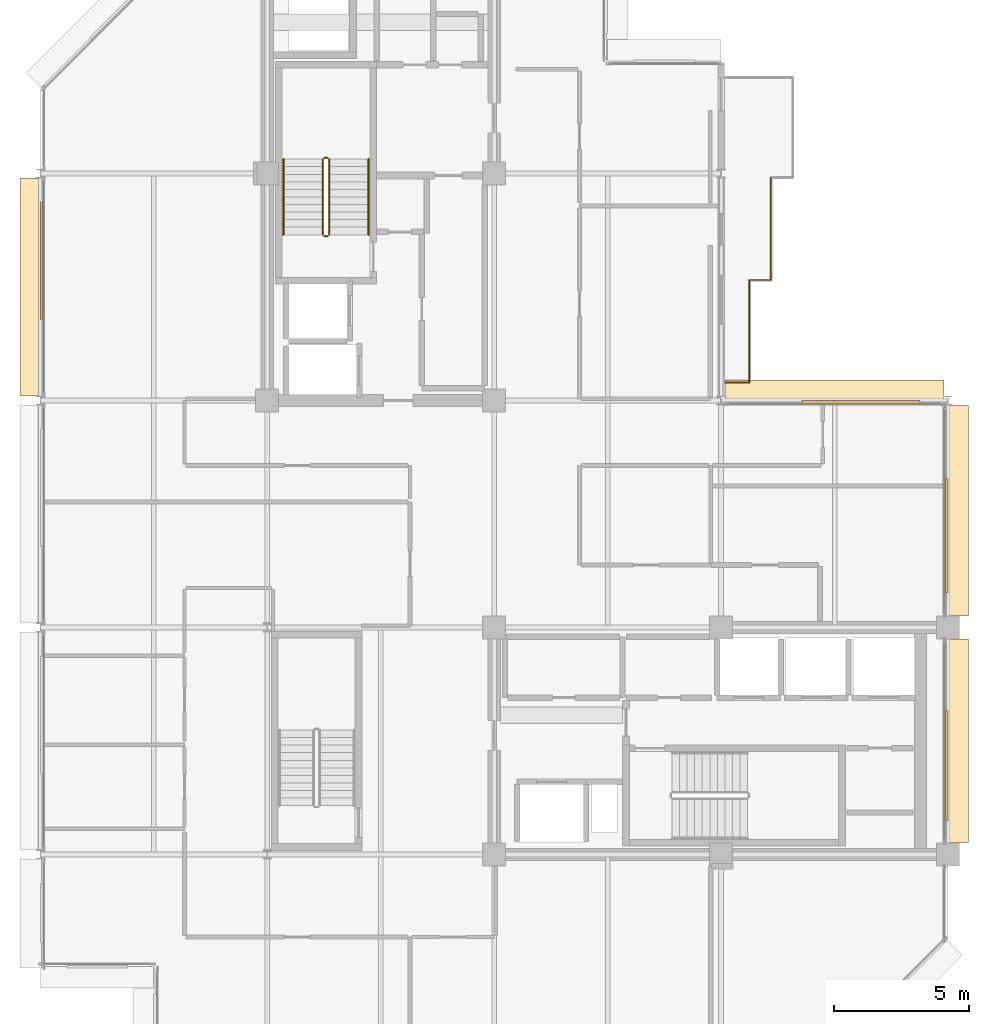
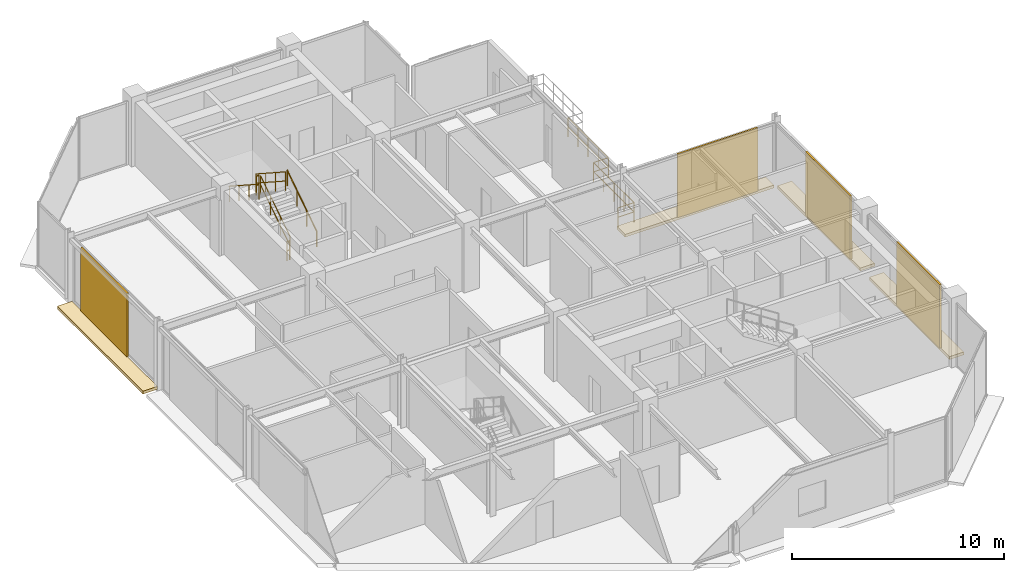
# One storey, part 24 of 25: 10 railings, 8 coverings.
"""IFC4 building model written with IfcOpenShell, lengths in metres."""

from ifc_helpers import new_model, si_unit, direction, frame, origin, origin_2d, place, context, subcontext, project, spatial, polyline, rectangle, circle, outline, extrude, material, layer, layer_set, type_object, element, save


model = new_model("IFC4")

# Units and contexts
model_context = context("Model", 3, precision=1e-05, world=origin(), true_north=direction((0.0, 1.0)))
body_context = subcontext(model_context, "Body", "Model", "MODEL_VIEW")
ifc_project = project(units=[si_unit("LENGTHUNIT", "METRE"), si_unit("AREAUNIT", "SQUARE_METRE"), si_unit("VOLUMEUNIT", "CUBIC_METRE"), si_unit("PLANEANGLEUNIT", "RADIAN"), si_unit("MASSUNIT", "GRAM", prefix="KILO")], contexts=[model_context])

# Site, building, storey
site_placement = place(None, origin())
site = spatial("IfcSite", under=ifc_project, at=site_placement, CompositionType="ELEMENT")
building_placement = place(site_placement, origin())
building = spatial("IfcBuilding", under=site, at=building_placement, Name="Nerrivon Quay Data Exchange", CompositionType="ELEMENT")
storey_placement = place(building_placement, frame((0.0, 0.0, 318.199951171875)))
storey = spatial("IfcBuildingStorey", under=building, at=storey_placement, Name="L76", CompositionType="ELEMENT", Elevation=318.199951171875)

# Coverings
ifc_material_1 = material(Name="Architectural terracotta ceramic", Category="masonry")
ifc_layer_1 = layer(ifc_material_1, 0.159912109375)
ifc_layer_set_1 = layer_set([ifc_layer_1], Name="Architectural terracotta ceramic")
covering_type_1 = type_object("IfcCoveringType", Name="COV-BLD-TERR", PredefinedType="CLADDING", material=ifc_layer_set_1)
covering_1_placement = place(storey_placement, frame((0.0, 0.0, -0.159912109375)))
element("IfcCovering", 1, at=covering_1_placement, inside=storey, type_object=covering_type_1, Name="L76 Horizontal Terracotta SOLAR SCREEN Blade", PredefinedType="CLADDING", context=body_context, shape_type="SweptSolid", body=[
    extrude(outline(polyline([(0.0400390625, 25.363525390625), (0.0400390625, 33.4365234375), (-0.75, 33.4365234375), (-0.75, 25.363525390625), (0.0400390625, 25.363525390625)])), origin(), (0.0, 0.0, 1.0), 0.159912109375),
])
covering_2_placement = place(storey_placement, frame((0.0, 0.0, -0.159912109375)))
element("IfcCovering", 2, at=covering_2_placement, inside=storey, type_object=covering_type_1, Name="L76 Horizontal Terracotta SOLAR SCREEN Blade", PredefinedType="CLADDING", context=body_context, shape_type="SweptSolid", body=[
    extrude(outline(polyline([(25.35546875, 25.159912109375), (33.444580078125, 25.159912109375), (33.444580078125, 25.949951171875), (25.35546875, 25.949951171875), (25.35546875, 25.159912109375)])), origin(), (0.0, 0.0, 1.0), 0.159912109375),
])
covering_3_placement = place(storey_placement, frame((0.0, 0.0, -0.159912109375)))
element("IfcCovering", 3, at=covering_3_placement, inside=storey, type_object=covering_type_1, Name="L76 Horizontal Terracotta SOLAR SCREEN Blade", PredefinedType="CLADDING", context=body_context, shape_type="SweptSolid", body=[
    extrude(outline(polyline([(33.56005859375, 25.03662109375), (33.56005859375, 17.22509765625), (34.35009765625, 17.22509765625), (34.35009765625, 25.03662109375), (33.56005859375, 25.03662109375)])), origin(), (0.0, 0.0, 1.0), 0.159912109375),
])
covering_4_placement = place(storey_placement, frame((0.0, 0.0, -0.159912109375)))
element("IfcCovering", 4, at=covering_4_placement, inside=storey, type_object=covering_type_1, Name="L76 Horizontal Terracotta SOLAR SCREEN Blade", PredefinedType="CLADDING", context=body_context, shape_type="SweptSolid", body=[
    extrude(outline(polyline([(33.56005859375, 16.375), (33.56005859375, 8.824951171875), (34.35009765625, 8.824951171875), (34.35009765625, 16.375), (33.56005859375, 16.375)])), origin(), (0.0, 0.0, 1.0), 0.159912109375),
])
ifc_layer_2 = layer(ifc_material_1, 0.090087890625)
ifc_layer_set_2 = layer_set([ifc_layer_2], Name="Architectural terracotta ceramic")
covering_type_2 = type_object("IfcCoveringType", Name="COV-SCR-TERR", PredefinedType="CLADDING", material=ifc_layer_set_2)
covering_5_placement = place(storey_placement, frame((0.044921875, 30.368896484375, 0.0), z_axis=(0.0, 0.0, 1.0), x_axis=(0.0, 1.0, 0.0)))
element("IfcCovering", 5, at=covering_5_placement, inside=storey, type_object=covering_type_2, Name="L76 Perforated Terracotta SOLAR SCREEN Cassette", PredefinedType="CLADDING", context=body_context, shape_type="SweptSolid", body=[
    extrude(rectangle(XDim=4.35888671875, YDim=0.090087890625, at=origin_2d()), origin(), (0.0, 0.0, 1.0), 3.64990234375),
])
covering_6_placement = place(storey_placement, frame((30.37060546875, 25.155029296875, 0.0), z_axis=(0.0, 0.0, 1.0), x_axis=(1.0, 0.0, 0.0)))
element("IfcCovering", 6, at=covering_6_placement, inside=storey, type_object=covering_type_2, Name="L76 Perforated Terracotta SOLAR SCREEN Cassette", PredefinedType="CLADDING", context=body_context, shape_type="SweptSolid", body=[
    extrude(rectangle(XDim=4.367919921875, YDim=0.090087890625, at=origin_2d()), origin(), (0.0, 0.0, 1.0), 3.64990234375),
])
covering_7_placement = place(storey_placement, frame((33.554931640625, 20.193359375, 0.0), z_axis=(0.0, 0.0, 1.0), x_axis=(0.0, -1.0, 0.0)))
element("IfcCovering", 7, at=covering_7_placement, inside=storey, type_object=covering_type_2, Name="L76 Perforated Terracotta SOLAR SCREEN Cassette", PredefinedType="CLADDING", context=body_context, shape_type="SweptSolid", body=[
    extrude(rectangle(XDim=4.218017578125, YDim=0.090087890625, at=origin_2d()), origin(), (0.0, 0.0, 1.0), 3.64990234375),
])
covering_8_placement = place(storey_placement, frame((33.554931640625, 11.694091796875, 0.0), z_axis=(0.0, 0.0, 1.0), x_axis=(0.0, -1.0, 0.0)))
element("IfcCovering", 8, at=covering_8_placement, inside=storey, type_object=covering_type_2, Name="L76 Perforated Terracotta SOLAR SCREEN Cassette", PredefinedType="CLADDING", context=body_context, shape_type="SweptSolid", body=[
    extrude(rectangle(XDim=4.076904296875, YDim=0.090087890625, at=origin_2d()), origin(), (0.0, 0.0, 1.0), 3.64990234375),
])

# Railings
ifc_material_2 = material(Name="Steel Grade C350L0 (350 MPa)", Category="steel")
railing_type_1 = type_object("IfcRailingType", Name="RAIL-GUARD-GR2", PredefinedType="BALUSTRADE", material=ifc_material_2)
railing_1_placement = place(storey_placement, frame((26.239990234375, 29.659912109375, 0.0)))
element("IfcRailing", 9, at=railing_1_placement, inside=storey, type_object=railing_type_1, Name="L76 Verandah Balcony Guard 1.1 1", PredefinedType="BALUSTRADE", context=body_context, shape_type="SweptSolid", body=[
    extrude(circle(Radius=0.02392578125, at=origin_2d()), frame((0.0, 0.0, 1.09619140625), z_axis=(0.0, -1.0, 0.0), x_axis=(1.0, 0.0, 0.0)), (0.0, 0.0, 1.0), 3.7998046875),
    extrude(circle(Radius=0.02392578125, at=origin_2d()), frame((0.0, 0.0, 0.56005859375), z_axis=(0.0, -1.0, 0.0), x_axis=(1.0, 0.0, 0.0)), (0.0, 0.0, 1.0), 3.7998046875),
    extrude(circle(Radius=0.02099609375, at=origin_2d()), origin(), (0.0, 0.0, 1.0), 1.072021484375),
    extrude(circle(Radius=0.02099609375, at=origin_2d()), frame((0.0, -0.949951171875, 0.0)), (0.0, 0.0, 1.0), 1.072021484375),
    extrude(circle(Radius=0.02099609375, at=origin_2d()), frame((0.0, -1.89990234375, 0.0)), (0.0, 0.0, 1.0), 1.072021484375),
    extrude(circle(Radius=0.02099609375, at=origin_2d()), frame((0.0, -2.849853515625, 0.0)), (0.0, 0.0, 1.0), 1.072021484375),
    extrude(circle(Radius=0.02099609375, at=origin_2d()), frame((0.0, -3.7998046875, 0.0)), (0.0, 0.0, 1.0), 1.072021484375),
])
railing_2_placement = place(storey_placement, frame((26.239990234375, 25.860107421875, 0.0)))
element("IfcRailing", 10, at=railing_2_placement, inside=storey, type_object=railing_type_1, Name="L76 Verandah Balcony Guard 1.2 1", PredefinedType="BALUSTRADE", context=body_context, shape_type="SweptSolid", body=[
    extrude(circle(Radius=0.02392578125, at=origin_2d()), frame((0.0, 0.0, 1.09619140625), z_axis=(-1.0, 0.0, 0.0), x_axis=(0.0, -1.0, 0.0)), (0.0, 0.0, 1.0), 0.860107421875),
    extrude(circle(Radius=0.02392578125, at=origin_2d()), frame((0.0, 0.0, 0.56005859375), z_axis=(-1.0, 0.0, 0.0), x_axis=(0.0, -1.0, 0.0)), (0.0, 0.0, 1.0), 0.860107421875),
    extrude(circle(Radius=0.02099609375, at=origin_2d()), origin(), (0.0, 0.0, 1.0), 1.072021484375),
    extrude(circle(Radius=0.02099609375, at=origin_2d()), frame((-0.860107421875, 0.0, 0.0)), (0.0, 0.0, 1.0), 1.072021484375),
])
railing_3_placement = place(storey_placement, frame((27.0400390625, 33.4599609375, 0.0)))
element("IfcRailing", 11, at=railing_3_placement, inside=storey, type_object=railing_type_1, Name="L76 Verandah Balcony Guard 1.6 1", PredefinedType="BALUSTRADE", context=body_context, shape_type="SweptSolid", body=[
    extrude(circle(Radius=0.02392578125, at=origin_2d()), frame((0.0, 0.0, 1.09619140625), z_axis=(0.0, -1.0, 0.0), x_axis=(1.0, 0.0, 0.0)), (0.0, 0.0, 1.0), 3.800048828125),
    extrude(circle(Radius=0.02392578125, at=origin_2d()), frame((0.0, 0.0, 0.56005859375), z_axis=(0.0, -1.0, 0.0), x_axis=(1.0, 0.0, 0.0)), (0.0, 0.0, 1.0), 3.800048828125),
    extrude(circle(Radius=0.02099609375, at=origin_2d()), origin(), (0.0, 0.0, 1.0), 1.072021484375),
    extrude(circle(Radius=0.02099609375, at=origin_2d()), frame((0.0, -0.949951171875, 0.0)), (0.0, 0.0, 1.0), 1.072021484375),
    extrude(circle(Radius=0.02099609375, at=origin_2d()), frame((0.0, -1.89990234375, 0.0)), (0.0, 0.0, 1.0), 1.072021484375),
    extrude(circle(Radius=0.02099609375, at=origin_2d()), frame((0.0, -2.85009765625, 0.0)), (0.0, 0.0, 1.0), 1.072021484375),
    extrude(circle(Radius=0.02099609375, at=origin_2d()), frame((0.0, -3.800048828125, 0.0)), (0.0, 0.0, 1.0), 1.072021484375),
])
railing_4_placement = place(storey_placement, frame((27.0400390625, 29.659912109375, 0.0)))
element("IfcRailing", 12, at=railing_4_placement, inside=storey, type_object=railing_type_1, Name="L76 Verandah Balcony Guard 1.7 1", PredefinedType="BALUSTRADE", context=body_context, shape_type="SweptSolid", body=[
    extrude(circle(Radius=0.02392578125, at=origin_2d()), frame((0.0, 0.0, 1.09619140625), z_axis=(-1.0, 0.0, 0.0), x_axis=(0.0, -1.0, 0.0)), (0.0, 0.0, 1.0), 0.800048828125),
    extrude(circle(Radius=0.02392578125, at=origin_2d()), frame((0.0, 0.0, 0.56005859375), z_axis=(-1.0, 0.0, 0.0), x_axis=(0.0, -1.0, 0.0)), (0.0, 0.0, 1.0), 0.800048828125),
    extrude(circle(Radius=0.02099609375, at=origin_2d()), origin(), (0.0, 0.0, 1.0), 1.072021484375),
    extrude(circle(Radius=0.02099609375, at=origin_2d()), frame((-0.800048828125, 0.0, 0.0)), (0.0, 0.0, 1.0), 1.072021484375),
])
railing_type_2 = type_object("IfcRailingType", Name="RAIL-HAND-HR1", PredefinedType="HANDRAIL", material=ifc_material_2)
railing_5_placement = place(storey_placement, frame((12.14990234375, 31.330078125, 0.181884765625)))
element("IfcRailing", 13, at=railing_5_placement, inside=storey, type_object=railing_type_2, Name="L76 ST01 stair handrail 1", PredefinedType="HANDRAIL", context=body_context, shape_type="SweptSolid", body=[
    extrude(circle(Radius=0.02392578125, at=origin_2d()), frame((0.0, 0.0, 0.8759765625), z_axis=(0.0, 0.83868413941, 0.544618136222), x_axis=(-1.0, 0.0, 0.0)), (0.0, 0.0, 1.0), 3.33837890625),
    extrude(circle(Radius=0.02099609375, at=origin_2d()), origin(), (0.0, 0.0, 1.0), 0.851806640625),
    extrude(circle(Radius=0.02099609375, at=origin_2d()), frame((0.0, 0.933349609375, 0.60595703125)), (0.0, 0.0, 1.0), 0.851806640625),
    extrude(circle(Radius=0.02099609375, at=origin_2d()), frame((0.0, 1.866455078125, 1.212158203125)), (0.0, 0.0, 1.0), 0.851806640625),
    extrude(circle(Radius=0.02099609375, at=origin_2d()), frame((0.0, 2.7998046875, 1.818115234375)), (0.0, 0.0, 1.0), 0.851806640625),
])
railing_6_placement = place(storey_placement, frame((9.0, 34.1298828125, 2.181884765625)))
element("IfcRailing", 14, at=railing_6_placement, inside=storey, type_object=railing_type_2, Name="L76 ST01 stair handrail 2", PredefinedType="HANDRAIL", context=body_context, shape_type="SweptSolid", body=[
    extrude(circle(Radius=0.02392578125, at=origin_2d()), frame((0.0, 0.0, 0.8759765625), z_axis=(0.0, -0.83868413941, 0.544618136222), x_axis=(1.0, 0.0, 0.0)), (0.0, 0.0, 1.0), 3.33837890625),
    extrude(circle(Radius=0.02099609375, at=origin_2d()), origin(), (0.0, 0.0, 1.0), 0.851806640625),
    extrude(circle(Radius=0.02099609375, at=origin_2d()), frame((0.0, -0.933349609375, 0.60595703125)), (0.0, 0.0, 1.0), 0.851806640625),
    extrude(circle(Radius=0.02099609375, at=origin_2d()), frame((0.0, -1.866455078125, 1.212158203125)), (0.0, 0.0, 1.0), 0.851806640625),
    extrude(circle(Radius=0.02099609375, at=origin_2d()), frame((0.0, -2.7998046875, 1.818115234375)), (0.0, 0.0, 1.0), 0.851806640625),
])
railing_type_3 = type_object("IfcRailingType", Name="RAIL-STAIR-GR1", PredefinedType="BALUSTRADE", material=ifc_material_2)
railing_7_placement = place(storey_placement, frame((10.699951171875, 31.330078125, 0.181884765625)))
element("IfcRailing", 15, at=railing_7_placement, inside=storey, type_object=railing_type_3, Name="L76 ST01 stair guard 1", PredefinedType="BALUSTRADE", context=body_context, shape_type="SweptSolid", body=[
    extrude(circle(Radius=0.02392578125, at=origin_2d()), frame((0.0, 0.0, 1.076171875), z_axis=(0.0, 0.83868413941, 0.544618136222), x_axis=(-1.0, 0.0, 0.0)), (0.0, 0.0, 1.0), 3.33837890625),
    extrude(circle(Radius=0.02392578125, at=origin_2d()), frame((0.0, 0.0, 0.550048828125), z_axis=(0.0, 0.83868413941, 0.544618136222), x_axis=(-1.0, 0.0, 0.0)), (0.0, 0.0, 1.0), 3.33837890625),
    extrude(circle(Radius=0.02099609375, at=origin_2d()), origin(), (0.0, 0.0, 1.0), 1.052001953125),
    extrude(circle(Radius=0.02099609375, at=origin_2d()), frame((0.0, 0.933349609375, 0.60595703125)), (0.0, 0.0, 1.0), 1.052001953125),
    extrude(circle(Radius=0.02099609375, at=origin_2d()), frame((0.0, 1.866455078125, 1.212158203125)), (0.0, 0.0, 1.0), 1.052001953125),
    extrude(circle(Radius=0.02099609375, at=origin_2d()), frame((0.0, 2.7998046875, 1.818115234375)), (0.0, 0.0, 1.0), 1.052001953125),
])
railing_8_placement = place(storey_placement, frame((10.64990234375, 34.179931640625, 2.0)))
element("IfcRailing", 16, at=railing_8_placement, inside=storey, type_object=railing_type_3, Name="L76 ST01 stair guard 2", PredefinedType="BALUSTRADE", context=body_context, shape_type="SweptSolid", body=[
    extrude(circle(Radius=0.02392578125, at=origin_2d()), frame((0.0, 0.0, 1.076171875), z_axis=(-1.0, 0.0, 0.0), x_axis=(0.0, -1.0, 0.0)), (0.0, 0.0, 1.0), 0.14990234375),
    extrude(circle(Radius=0.02392578125, at=origin_2d()), frame((0.0, 0.0, 0.550048828125), z_axis=(-1.0, 0.0, 0.0), x_axis=(0.0, -1.0, 0.0)), (0.0, 0.0, 1.0), 0.14990234375),
    extrude(circle(Radius=0.02099609375, at=origin_2d()), origin(), (0.0, 0.0, 1.0), 1.052001953125),
    extrude(circle(Radius=0.02099609375, at=origin_2d()), frame((-0.14990234375, 0.0, 0.0)), (0.0, 0.0, 1.0), 1.052001953125),
])
railing_9_placement = place(storey_placement, frame((10.449951171875, 34.1298828125, 2.181884765625)))
element("IfcRailing", 17, at=railing_9_placement, inside=storey, type_object=railing_type_3, Name="L76 ST01 stair guard 3", PredefinedType="BALUSTRADE", context=body_context, shape_type="SweptSolid", body=[
    extrude(circle(Radius=0.02392578125, at=origin_2d()), frame((0.0, 0.0, 1.076171875), z_axis=(0.0, -0.83868413941, 0.544618136222), x_axis=(1.0, 0.0, 0.0)), (0.0, 0.0, 1.0), 3.33837890625),
    extrude(circle(Radius=0.02392578125, at=origin_2d()), frame((0.0, 0.0, 0.550048828125), z_axis=(0.0, -0.83868413941, 0.544618136222), x_axis=(1.0, 0.0, 0.0)), (0.0, 0.0, 1.0), 3.33837890625),
    extrude(circle(Radius=0.02099609375, at=origin_2d()), origin(), (0.0, 0.0, 1.0), 1.052001953125),
    extrude(circle(Radius=0.02099609375, at=origin_2d()), frame((0.0, -0.933349609375, 0.60595703125)), (0.0, 0.0, 1.0), 1.052001953125),
    extrude(circle(Radius=0.02099609375, at=origin_2d()), frame((0.0, -1.866455078125, 1.212158203125)), (0.0, 0.0, 1.0), 1.052001953125),
    extrude(circle(Radius=0.02099609375, at=origin_2d()), frame((0.0, -2.7998046875, 1.818115234375)), (0.0, 0.0, 1.0), 1.052001953125),
])
railing_10_placement = place(storey_placement, frame((10.64990234375, 31.280029296875, 0.0)))
element("IfcRailing", 18, at=railing_10_placement, inside=storey, type_object=railing_type_3, Name="L76 ST01 stair guard 4", PredefinedType="BALUSTRADE", context=body_context, shape_type="SweptSolid", body=[
    extrude(circle(Radius=0.02392578125, at=origin_2d()), frame((0.0, 0.0, 1.076171875), z_axis=(-1.0, 0.0, 0.0), x_axis=(0.0, -1.0, 0.0)), (0.0, 0.0, 1.0), 0.14990234375),
    extrude(circle(Radius=0.02392578125, at=origin_2d()), frame((0.0, 0.0, 0.550048828125), z_axis=(-1.0, 0.0, 0.0), x_axis=(0.0, -1.0, 0.0)), (0.0, 0.0, 1.0), 0.14990234375),
    extrude(circle(Radius=0.02099609375, at=origin_2d()), origin(), (0.0, 0.0, 1.0), 1.052001953125),
    extrude(circle(Radius=0.02099609375, at=origin_2d()), frame((-0.14990234375, 0.0, 0.0)), (0.0, 0.0, 1.0), 1.052001953125),
])

save(model, "model.ifc")
